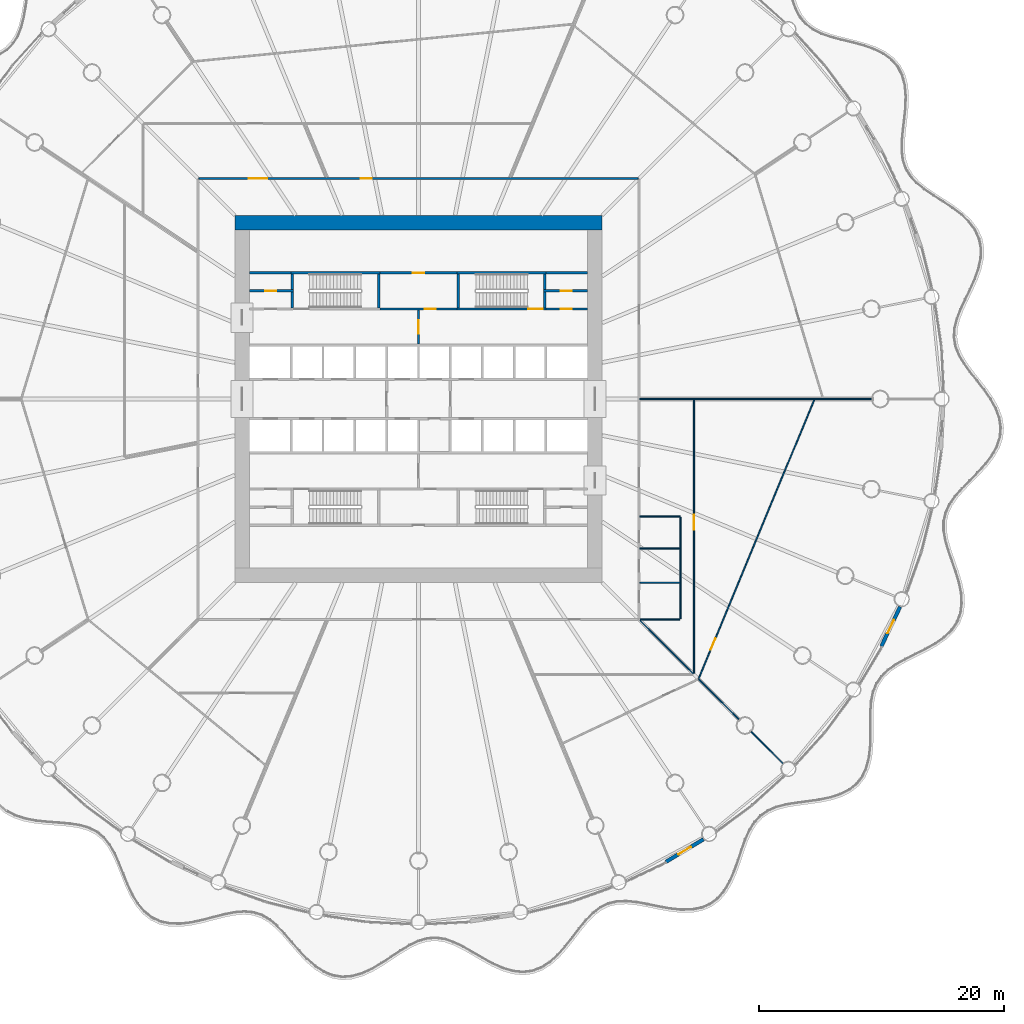
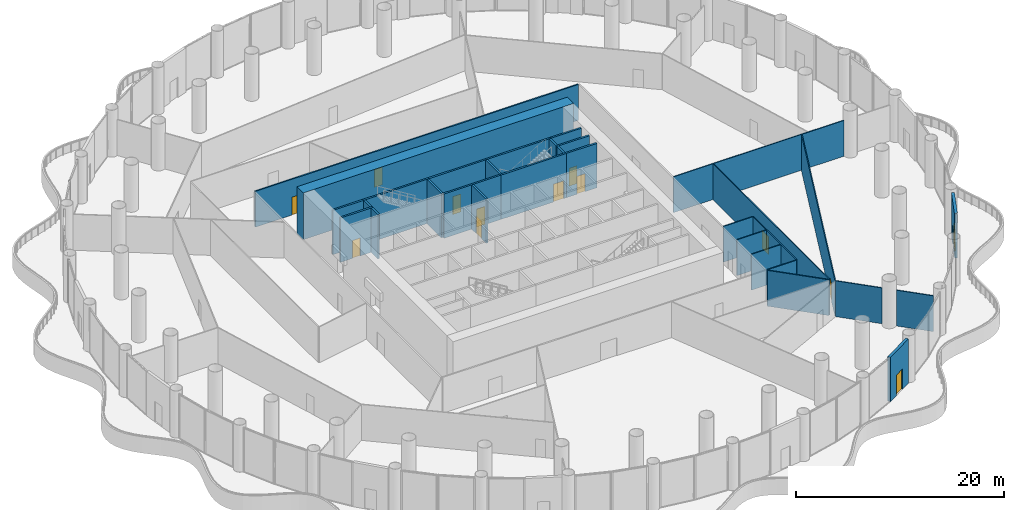
# One storey, part 26 of 37: 32 walls, 13 doors, 13 openings.
"""IFC4 building model written with IfcOpenShell, lengths in metres."""

from ifc_helpers import new_model, si_unit, direction, frame, frame_2d, origin, place, context, subcontext, project, spatial, polyline, rectangle, outline, extrude, material, layer, layer_set, type_object, element, fill, save


model = new_model("IFC4")

# Units and contexts
model_context = context("Model", 3, precision=1e-05, world=origin(), true_north=direction((0.0, 1.0)))
body_context = subcontext(model_context, "Body", "Model", "MODEL_VIEW")
ifc_project = project(units=[si_unit("LENGTHUNIT", "METRE"), si_unit("AREAUNIT", "SQUARE_METRE"), si_unit("VOLUMEUNIT", "CUBIC_METRE"), si_unit("PLANEANGLEUNIT", "RADIAN"), si_unit("MASSUNIT", "GRAM", prefix="KILO")], contexts=[model_context])

# Site, building, storey
site_placement = place(None, origin())
site = spatial("IfcSite", under=ifc_project, at=site_placement, CompositionType="ELEMENT")
building_placement = place(site_placement, origin())
building = spatial("IfcBuilding", under=site, at=building_placement, Name="Corvane Civic Tower", CompositionType="ELEMENT")
storey_placement = place(building_placement, frame((0.0, 0.0, 11.5)))
storey = spatial("IfcBuildingStorey", under=building, at=storey_placement, Name="L02", CompositionType="ELEMENT", Elevation=11.5)

# Wall
ifc_material_1 = material(Name="Concrete C80/95", Category="concrete")
ifc_layer_1 = layer(ifc_material_1, 1.199951171875)
ifc_layer_set_1 = layer_set([ifc_layer_1], Name="Concrete C80/95")
wall_type_1 = type_object("IfcWallType", Name="CORE WALL 1200 C80/95", PredefinedType="SHEAR", material=ifc_layer_set_1)
wall_1_placement = place(storey_placement, frame((-15.0, 14.39990234375, 0.0), z_axis=(0.0, 0.0, 1.0), x_axis=(1.0, 0.0, 0.0)))
element("IfcWall", 1, at=wall_1_placement, inside=storey, type_object=wall_type_1, Name="W-L02-core-N", PredefinedType="SHEAR", context=body_context, shape_type="SweptSolid", body=[
    extrude(rectangle(XDim=30.0, YDim=1.199951171875, at=frame_2d((15.0, 0.0))), origin(), (0.0, 0.0, 1.0), 5.5),
])

# Wall, opening, door
ifc_material_2 = material(Name="Concrete C30/37", Category="concrete")
ifc_layer_2 = layer(ifc_material_2, 0.199951171875)
ifc_layer_set_2 = layer_set([ifc_layer_2], Name="Concrete C30/37")
wall_type_2 = type_object("IfcWallType", Name="CR-WALL-200", PredefinedType="PARTITIONING", material=ifc_layer_set_2)
wall_2_placement = place(storey_placement, frame((-3.14990234375, 7.35009765625, 0.0), z_axis=(0.0, 0.0, 1.0), x_axis=(1.0, 0.0, 0.0)))
wall_2 = element("IfcWall", 2, at=wall_2_placement, inside=storey, type_object=wall_type_2, Name="L02 partition wall", PredefinedType="PARTITIONING", context=body_context, shape_type="SweptSolid", body=[
    extrude(rectangle(XDim=6.2998046875, YDim=0.199951171875, at=frame_2d((3.14990234375, 0.0))), origin(), (0.0, 0.0, 1.0), 5.199951171875),
])
opening_1_placement = place(wall_2_placement, frame((3.64990234375, 0.0, 0.0)))
opening_1 = element("IfcOpeningElement", 3, at=opening_1_placement, cuts=wall_2, Name="Opening L02.C02", PredefinedType="OPENING", context=body_context, shape_type="SweptSolid", body=[
    extrude(rectangle(XDim=0.89990234375, YDim=2.10009765625, at=frame_2d((0.449951171875, 1.050048828125))), frame((0.0, 0.10986328125, 0.0), z_axis=(0.0, -1.0, 0.0), x_axis=(1.0, 0.0, 0.0)), (0.0, 0.0, 1.0), 0.219970703125),
])
ifc_material_3 = material(Name="Steel fire door leaf", Category="steel")
door_type_1 = type_object("IfcDoorType", Name="CR-DOOR-900", OperationType="SINGLE_SWING_LEFT", PredefinedType="DOOR", material=ifc_material_3)
door_1_placement = place(opening_1_placement, origin())
door_1 = element("IfcDoor", 4, at=door_1_placement, inside=storey, type_object=door_type_1, Name="L02 door", OperationType="SINGLE_SWING_LEFT", OverallHeight=2.10009765625, OverallWidth=0.89990234375, PredefinedType="DOOR", context=body_context, shape_type="SweptSolid", body=[
    extrude(rectangle(XDim=0.89990234375, YDim=2.10009765625, at=frame_2d((0.449951171875, 1.050048828125))), frame((0.0, 0.02490234375, 0.0), z_axis=(0.0, -1.0, 0.0), x_axis=(1.0, 0.0, 0.0)), (0.0, 0.0, 1.0), 0.050048828125),
])
fill(opening_1, door_1)

wall_3_placement = place(storey_placement, frame((10.39990234375, 7.35009765625, 0.0), z_axis=(0.0, 0.0, 1.0), x_axis=(1.0, 0.0, 0.0)))
wall_3 = element("IfcWall", 5, at=wall_3_placement, inside=storey, type_object=wall_type_2, Name="L02 core partition wall", PredefinedType="PARTITIONING", context=body_context, shape_type="SweptSolid", body=[
    extrude(rectangle(XDim=3.400146484375, YDim=0.199951171875, at=frame_2d((1.7001953125, 0.0))), origin(), (0.0, 0.0, 1.0), 5.199951171875),
])
opening_2_placement = place(wall_3_placement, frame((1.199951171875, 0.0, 0.0)))
opening_2 = element("IfcOpeningElement", 6, at=opening_2_placement, cuts=wall_3, Name="Opening L02.C10", PredefinedType="OPENING", context=body_context, shape_type="SweptSolid", body=[
    extrude(rectangle(XDim=0.89990234375, YDim=2.10009765625, at=frame_2d((0.449951171875, 1.050048828125))), frame((0.0, 0.10986328125, 0.0), z_axis=(0.0, -1.0, 0.0), x_axis=(1.0, 0.0, 0.0)), (0.0, 0.0, 1.0), 0.219970703125),
])
door_2_placement = place(opening_2_placement, origin())
door_2 = element("IfcDoor", 7, at=door_2_placement, inside=storey, type_object=door_type_1, Name="L02 door", OperationType="SINGLE_SWING_LEFT", OverallHeight=2.10009765625, OverallWidth=0.89990234375, PredefinedType="DOOR", context=body_context, shape_type="SweptSolid", body=[
    extrude(rectangle(XDim=0.89990234375, YDim=2.10009765625, at=frame_2d((0.449951171875, 1.050048828125))), frame((0.0, 0.02490234375, 0.0), z_axis=(0.0, -1.0, 0.0), x_axis=(1.0, 0.0, 0.0)), (0.0, 0.0, 1.0), 0.050048828125),
])
fill(opening_2, door_2)

wall_4_placement = place(storey_placement, frame((-13.800048828125, 8.824951171875, 0.0), z_axis=(0.0, 0.0, 1.0), x_axis=(1.0, 0.0, 0.0)))
wall_4 = element("IfcWall", 8, at=wall_4_placement, inside=storey, type_object=wall_type_2, Name="L02 partition wall", PredefinedType="PARTITIONING", context=body_context, shape_type="SweptSolid", body=[
    extrude(rectangle(XDim=3.60009765625, YDim=0.199951171875, at=frame_2d((1.800048828125, 0.0))), origin(), (0.0, 0.0, 1.0), 5.199951171875),
])
opening_3_placement = place(wall_4_placement, frame((1.300048828125, 0.0, 0.0)))
opening_3 = element("IfcOpeningElement", 9, at=opening_3_placement, cuts=wall_4, Name="Opening L02.C07", PredefinedType="OPENING", context=body_context, shape_type="SweptSolid", body=[
    extrude(rectangle(XDim=0.89990234375, YDim=2.10009765625, at=frame_2d((0.449951171875, 1.050048828125))), frame((0.0, 0.10986328125, 0.0), z_axis=(0.0, -1.0, 0.0), x_axis=(1.0, 0.0, 0.0)), (0.0, 0.0, 1.0), 0.219970703125),
])
door_3_placement = place(opening_3_placement, origin())
door_3 = element("IfcDoor", 10, at=door_3_placement, inside=storey, type_object=door_type_1, Name="L02 door", OperationType="SINGLE_SWING_LEFT", OverallHeight=2.10009765625, OverallWidth=0.89990234375, PredefinedType="DOOR", context=body_context, shape_type="SweptSolid", body=[
    extrude(rectangle(XDim=0.89990234375, YDim=2.10009765625, at=frame_2d((0.449951171875, 1.050048828125))), frame((0.0, 0.02490234375, 0.0), z_axis=(0.0, -1.0, 0.0), x_axis=(1.0, 0.0, 0.0)), (0.0, 0.0, 1.0), 0.050048828125),
])
fill(opening_3, door_3)

wall_5_placement = place(storey_placement, frame((10.199951171875, 8.824951171875, 0.0), z_axis=(0.0, 0.0, 1.0), x_axis=(1.0, 0.0, 0.0)))
wall_5 = element("IfcWall", 11, at=wall_5_placement, inside=storey, type_object=wall_type_2, Name="L02 partition wall", PredefinedType="PARTITIONING", context=body_context, shape_type="SweptSolid", body=[
    extrude(rectangle(XDim=3.60009765625, YDim=0.199951171875, at=frame_2d((1.800048828125, 0.0))), origin(), (0.0, 0.0, 1.0), 5.199951171875),
])
opening_4_placement = place(wall_5_placement, frame((1.39990234375, 0.0, 0.0)))
opening_4 = element("IfcOpeningElement", 12, at=opening_4_placement, cuts=wall_5, Name="Opening L02.C11", PredefinedType="OPENING", context=body_context, shape_type="SweptSolid", body=[
    extrude(rectangle(XDim=0.89990234375, YDim=2.10009765625, at=frame_2d((0.449951171875, 1.050048828125))), frame((0.0, 0.10986328125, 0.0), z_axis=(0.0, -1.0, 0.0), x_axis=(1.0, 0.0, 0.0)), (0.0, 0.0, 1.0), 0.219970703125),
])
door_4_placement = place(opening_4_placement, origin())
door_4 = element("IfcDoor", 13, at=door_4_placement, inside=storey, type_object=door_type_1, Name="L02 door", OperationType="SINGLE_SWING_LEFT", OverallHeight=2.10009765625, OverallWidth=0.89990234375, PredefinedType="DOOR", context=body_context, shape_type="SweptSolid", body=[
    extrude(rectangle(XDim=0.89990234375, YDim=2.10009765625, at=frame_2d((0.449951171875, 1.050048828125))), frame((0.0, 0.02490234375, 0.0), z_axis=(0.0, -1.0, 0.0), x_axis=(1.0, 0.0, 0.0)), (0.0, 0.0, 1.0), 0.050048828125),
])
fill(opening_4, door_4)

wall_6_placement = place(storey_placement, frame((-3.14990234375, 10.300048828125, 0.0), z_axis=(0.0, 0.0, 1.0), x_axis=(1.0, 0.0, 0.0)))
wall_6 = element("IfcWall", 14, at=wall_6_placement, inside=storey, type_object=wall_type_2, Name="L02 partition wall", PredefinedType="PARTITIONING", context=body_context, shape_type="SweptSolid", body=[
    extrude(rectangle(XDim=6.2998046875, YDim=0.199951171875, at=frame_2d((3.14990234375, 0.0))), origin(), (0.0, 0.0, 1.0), 5.199951171875),
])
opening_5_placement = place(wall_6_placement, frame((2.699951171875, 0.0, 0.0)))
opening_5 = element("IfcOpeningElement", 15, at=opening_5_placement, cuts=wall_6, Name="Opening L02.C04", PredefinedType="OPENING", context=body_context, shape_type="SweptSolid", body=[
    extrude(rectangle(XDim=0.89990234375, YDim=2.10009765625, at=frame_2d((0.449951171875, 1.050048828125))), frame((0.0, 0.10986328125, 0.0), z_axis=(0.0, -1.0, 0.0), x_axis=(1.0, 0.0, 0.0)), (0.0, 0.0, 1.0), 0.219970703125),
])
door_5_placement = place(opening_5_placement, origin())
door_5 = element("IfcDoor", 16, at=door_5_placement, inside=storey, type_object=door_type_1, Name="L02 door", OperationType="SINGLE_SWING_LEFT", OverallHeight=2.10009765625, OverallWidth=0.89990234375, PredefinedType="DOOR", context=body_context, shape_type="SweptSolid", body=[
    extrude(rectangle(XDim=0.89990234375, YDim=2.10009765625, at=frame_2d((0.449951171875, 1.050048828125))), frame((0.0, 0.02490234375, 0.0), z_axis=(0.0, -1.0, 0.0), x_axis=(1.0, 0.0, 0.0)), (0.0, 0.0, 1.0), 0.050048828125),
])
fill(opening_5, door_5)

wall_7_placement = place(storey_placement, frame((0.0, 4.5, 0.0), z_axis=(0.0, 0.0, 1.0), x_axis=(0.0, 1.0, 0.0)))
wall_7 = element("IfcWall", 17, at=wall_7_placement, inside=storey, type_object=wall_type_2, Name="L02 core partition wall", PredefinedType="PARTITIONING", context=body_context, shape_type="SweptSolid", body=[
    extrude(rectangle(XDim=2.75, YDim=0.199951171875, at=frame_2d((1.375, 0.0))), origin(), (0.0, 0.0, 1.0), 5.199951171875),
])
opening_6_placement = place(wall_7_placement, frame((0.824951171875, 0.0, 0.0)))
opening_6 = element("IfcOpeningElement", 18, at=opening_6_placement, cuts=wall_7, Name="Opening L02.C20", PredefinedType="OPENING", context=body_context, shape_type="SweptSolid", body=[
    extrude(rectangle(XDim=1.10009765625, YDim=2.10009765625, at=frame_2d((0.550048828125, 1.050048828125))), frame((0.0, 0.10986328125, 0.0), z_axis=(0.0, -1.0, 0.0), x_axis=(1.0, 0.0, 0.0)), (0.0, 0.0, 1.0), 0.219970703125),
])
ifc_material_4 = material(Name="Steel fire door leaf", Category="steel")
door_type_2 = type_object("IfcDoorType", Name="CR-DOOR-FFL-1100", OperationType="SINGLE_SWING_LEFT", PredefinedType="DOOR", material=ifc_material_4)
door_6_placement = place(opening_6_placement, origin())
door_6 = element("IfcDoor", 19, at=door_6_placement, inside=storey, type_object=door_type_2, Name="L02 lobby door", OperationType="SINGLE_SWING_LEFT", OverallHeight=2.10009765625, OverallWidth=1.10009765625, PredefinedType="DOOR", context=body_context, shape_type="SweptSolid", body=[
    extrude(rectangle(XDim=1.10009765625, YDim=2.10009765625, at=frame_2d((0.550048828125, 1.050048828125))), frame((0.0, 0.02490234375, 0.0), z_axis=(0.0, -1.0, 0.0), x_axis=(1.0, 0.0, 0.0)), (0.0, 0.0, 1.0), 0.050048828125),
])
fill(opening_6, door_6)

# Walls
wall_8_placement = place(storey_placement, origin())
element("IfcWall", 20, at=wall_8_placement, inside=storey, type_object=wall_type_2, Name="L02 core partition wall", PredefinedType="PARTITIONING", context=body_context, shape_type="SweptSolid", body=[
    extrude(outline(polyline([(-13.800048828125, 10.199951171875), (-13.800048828125, 10.39990234375), (-10.39990234375, 10.39990234375), (-10.39990234375, 10.199951171875), (-13.800048828125, 10.199951171875)])), origin(), (0.0, 0.0, 1.0), 5.199951171875),
])
wall_9_placement = place(storey_placement, origin())
element("IfcWall", 21, at=wall_9_placement, inside=storey, type_object=wall_type_2, Name="L02 core partition wall", PredefinedType="PARTITIONING", context=body_context, shape_type="SweptSolid", body=[
    extrude(outline(polyline([(10.39990234375, 10.199951171875), (10.39990234375, 10.39990234375), (13.800048828125, 10.39990234375), (13.800048828125, 10.199951171875), (10.39990234375, 10.199951171875)])), origin(), (0.0, 0.0, 1.0), 5.199951171875),
])

# Wall, opening, door
ifc_material_5 = material(Name="Terracotta cladding", Category="masonry")
ifc_layer_3 = layer(ifc_material_5, 0.300048828125)
ifc_layer_set_3 = layer_set([ifc_layer_3], Name="Terracotta cladding")
wall_type_3 = type_object("IfcWallType", Name="PODIUM-W-DRUMDOOR-300", PredefinedType="SOLIDWALL", material=ifc_layer_set_3)
wall_10_placement = place(storey_placement, frame((39.317626953125, -16.9697265625, 0.0), z_axis=(0.0, 0.0, 1.0), x_axis=(-0.427546758778, -0.903993235074, 0.0)))
wall_10 = element("IfcWall", 22, at=wall_10_placement, inside=storey, type_object=wall_type_3, Name="L02 drum door bay wall 11", PredefinedType="SOLIDWALL", context=body_context, shape_type="SweptSolid", body=[
    extrude(rectangle(XDim=3.559814453125, YDim=0.300048828125, at=frame_2d((1.77978515625, 0.0))), origin(), (0.0, 0.0, 1.0), 5.199951171875),
])
opening_7_placement = place(wall_10_placement, frame((1.179931640625, 0.0, 0.0)))
opening_7 = element("IfcOpeningElement", 23, at=opening_7_placement, cuts=wall_10, Name="Opening ED-L02-11", PredefinedType="OPENING", context=body_context, shape_type="SweptSolid", body=[
    extrude(rectangle(XDim=1.199951171875, YDim=2.39990234375, at=frame_2d((0.60009765625, 1.199951171875))), frame((0.0, 0.159912109375, 0.0), z_axis=(0.0, -1.0, 0.0), x_axis=(1.0, 0.0, 0.0)), (0.0, 0.0, 1.0), 0.320068359375),
])
ifc_material_6 = material(Name="Anodised aluminium and glass", Category="aluminium")
door_type_3 = type_object("IfcDoorType", Name="PODIUM-D-BALCONY-1200", OperationType="SINGLE_SWING_LEFT", PredefinedType="DOOR", material=ifc_material_6)
door_7_placement = place(opening_7_placement, origin())
door_7 = element("IfcDoor", 24, at=door_7_placement, inside=storey, type_object=door_type_3, Name="L02 balcony door 11", OperationType="SINGLE_SWING_LEFT", OverallHeight=2.39990234375, OverallWidth=1.199951171875, PredefinedType="DOOR", context=body_context, shape_type="SweptSolid", body=[
    extrude(rectangle(XDim=1.199951171875, YDim=2.39990234375, at=frame_2d((0.60009765625, 1.199951171875))), frame((0.0, 0.02490234375, 0.0), z_axis=(0.0, -1.0, 0.0), x_axis=(1.0, 0.0, 0.0)), (0.0, 0.0, 1.0), 0.050048828125),
])
fill(opening_7, door_7)

wall_11_placement = place(storey_placement, frame((23.26318359375, -35.95361328125, 0.0), z_axis=(0.0, 0.0, 1.0), x_axis=(-0.85770467182, -0.514142680525, 0.0)))
wall_11 = element("IfcWall", 25, at=wall_11_placement, inside=storey, type_object=wall_type_3, Name="L02 drum door bay wall 14", PredefinedType="SOLIDWALL", context=body_context, shape_type="SweptSolid", body=[
    extrude(rectangle(XDim=3.5595703125, YDim=0.300048828125, at=frame_2d((1.77978515625, 0.0))), origin(), (0.0, 0.0, 1.0), 5.199951171875),
])
opening_8_placement = place(wall_11_placement, frame((1.179931640625, 0.0, 0.0)))
opening_8 = element("IfcOpeningElement", 26, at=opening_8_placement, cuts=wall_11, Name="Opening ED-L02-14", PredefinedType="OPENING", context=body_context, shape_type="SweptSolid", body=[
    extrude(rectangle(XDim=1.199951171875, YDim=2.39990234375, at=frame_2d((0.60009765625, 1.199951171875))), frame((0.0, 0.159912109375, 0.0), z_axis=(0.0, -1.0, 0.0), x_axis=(1.0, 0.0, 0.0)), (0.0, 0.0, 1.0), 0.320068359375),
])
door_8_placement = place(opening_8_placement, origin())
door_8 = element("IfcDoor", 27, at=door_8_placement, inside=storey, type_object=door_type_3, Name="L02 balcony door 14", OperationType="SINGLE_SWING_RIGHT", OverallHeight=2.39990234375, OverallWidth=1.199951171875, PredefinedType="DOOR", context=body_context, shape_type="SweptSolid", body=[
    extrude(rectangle(XDim=1.199951171875, YDim=2.39990234375, at=frame_2d((0.60009765625, 1.199951171875))), frame((0.0, 0.02490234375, 0.0), z_axis=(0.0, -1.0, 0.0), x_axis=(1.0, 0.0, 0.0)), (0.0, 0.0, 1.0), 0.050048828125),
])
fill(opening_8, door_8)

# Walls
ifc_material_7 = material(Name="Plasterboard")
ifc_layer_4 = layer(ifc_material_7, 0.10009765625)
ifc_layer_set_4 = layer_set([ifc_layer_4], Name="Plasterboard")
wall_type_4 = type_object("IfcWallType", Name="Partition 100 plasterboard on studs", PredefinedType="PARTITIONING", material=ifc_layer_set_4)
wall_12_placement = place(storey_placement, frame((27.159912109375, -27.159912109375, 0.0), z_axis=(0.0, 0.0, 1.0), x_axis=(0.707106781187, -0.707106781187, 0.0)))
element("IfcWall", 28, at=wall_12_placement, inside=storey, type_object=wall_type_4, Name="Partition L02.006", PredefinedType="PARTITIONING", context=body_context, shape_type="SweptSolid", body=[
    extrude(rectangle(XDim=3.679931640625, YDim=0.10009765625, at=frame_2d((1.83984375, 0.0))), origin(), (0.0, 0.0, 1.0), 4.199951171875),
])
wall_13_placement = place(storey_placement, frame((22.890869140625, -22.890869140625, 0.0), z_axis=(0.0, 0.0, 1.0), x_axis=(0.707106781187, -0.707106781187, 0.0)))
element("IfcWall", 29, at=wall_13_placement, inside=storey, type_object=wall_type_4, Name="Partition L02.008", PredefinedType="PARTITIONING", context=body_context, shape_type="SweptSolid", body=[
    extrude(rectangle(XDim=4.61767578125, YDim=0.10009765625, at=frame_2d((2.308837890625, 0.0))), origin(), (0.0, 0.0, 1.0), 4.199951171875),
])

# Wall, opening, door
wall_14_placement = place(storey_placement, frame((22.87890625, -22.835205078125, 0.0), z_axis=(0.0, 0.0, 1.0), x_axis=(0.382679925467, 0.923880985108, 0.0)))
wall_14 = element("IfcWall", 30, at=wall_14_placement, inside=storey, type_object=wall_type_4, Name="Partition L02.011", PredefinedType="PARTITIONING", context=body_context, shape_type="SweptSolid", body=[
    extrude(rectangle(XDim=24.641845703125, YDim=0.10009765625, at=frame_2d((12.32080078125, 0.0))), origin(), (0.0, 0.0, 1.0), 4.199951171875),
])
opening_9_placement = place(wall_14_placement, frame((2.558349609375, 0.0, 0.0)))
opening_9 = element("IfcOpeningElement", 31, at=opening_9_placement, cuts=wall_14, Name="Opening L02.010", PredefinedType="OPENING", context=body_context, shape_type="SweptSolid", body=[
    extrude(rectangle(XDim=1.0, YDim=2.10009765625, at=frame_2d((0.5, 1.050048828125))), frame((0.0, 0.06005859375, 0.0), z_axis=(0.0, -1.0, 0.0), x_axis=(1.0, 0.0, 0.0)), (0.0, 0.0, 1.0), 0.1201171875),
])
ifc_material_8 = material(Name="Timber", Category="wood")
door_type_4 = type_object("IfcDoorType", Name="Single door 1000", OperationType="NOTDEFINED", PredefinedType="DOOR", material=ifc_material_8)
door_9_placement = place(opening_9_placement, frame((1.0, 0.0, 0.0), z_axis=(0.0, 0.0, 1.0), x_axis=(-1.0, 0.0, 0.0)))
door_9 = element("IfcDoor", 32, at=door_9_placement, inside=storey, type_object=door_type_4, Name="Door L02.010", OperationType="SINGLE_SWING_LEFT", OverallHeight=2.10009765625, OverallWidth=1.0, PredefinedType="DOOR", context=body_context, shape_type="SweptSolid", body=[
    extrude(rectangle(XDim=1.0, YDim=2.10009765625, at=frame_2d((0.5, 1.050048828125))), frame((0.0, 0.02490234375, 0.0), z_axis=(0.0, -1.0, 0.0), x_axis=(1.0, 0.0, 0.0)), (0.0, 0.0, 1.0), 0.050048828125),
])
fill(opening_9, door_9)

# Wall
wall_15_placement = place(storey_placement, frame((18.08544921875, -18.08544921875, 0.0), z_axis=(0.0, 0.0, 1.0), x_axis=(0.707106781187, -0.707106781187, 0.0)))
element("IfcWall", 33, at=wall_15_placement, inside=storey, type_object=wall_type_4, Name="Partition L02.013", PredefinedType="PARTITIONING", context=body_context, shape_type="SweptSolid", body=[
    extrude(rectangle(XDim=6.122314453125, YDim=0.10009765625, at=frame_2d((3.06103515625, 0.0))), origin(), (0.0, 0.0, 1.0), 4.199951171875),
])

# Wall, opening, door
wall_16_placement = place(storey_placement, frame((22.5, -22.37939453125, 0.0), z_axis=(0.0, 0.0, 1.0), x_axis=(0.0, 1.0, 0.0)))
wall_16 = element("IfcWall", 34, at=wall_16_placement, inside=storey, type_object=wall_type_4, Name="Partition L02.014", PredefinedType="PARTITIONING", context=body_context, shape_type="SweptSolid", body=[
    extrude(rectangle(XDim=22.329345703125, YDim=0.10009765625, at=frame_2d((11.16455078125, 0.0))), origin(), (0.0, 0.0, 1.0), 4.199951171875),
])
opening_10_placement = place(wall_16_placement, frame((11.709228515625, 0.0, 0.0)))
opening_10 = element("IfcOpeningElement", 35, at=opening_10_placement, cuts=wall_16, Name="Opening L02.012", PredefinedType="OPENING", context=body_context, shape_type="SweptSolid", body=[
    extrude(rectangle(XDim=1.199951171875, YDim=2.10009765625, at=frame_2d((0.60009765625, 1.050048828125))), frame((0.0, 0.06005859375, 0.0), z_axis=(0.0, -1.0, 0.0), x_axis=(1.0, 0.0, 0.0)), (0.0, 0.0, 1.0), 0.1201171875),
])
ifc_material_9 = material(Name="Timber", Category="wood")
door_type_5 = type_object("IfcDoorType", Name="Double door 1200", OperationType="NOTDEFINED", PredefinedType="DOOR", material=ifc_material_9)
door_10_placement = place(opening_10_placement, frame((1.199951171875, 0.0, 0.0), z_axis=(0.0, 0.0, 1.0), x_axis=(-1.0, 0.0, 0.0)))
door_10 = element("IfcDoor", 36, at=door_10_placement, inside=storey, type_object=door_type_5, Name="Door L02.012", OperationType="DOUBLE_DOOR_SINGLE_SWING", OverallHeight=2.10009765625, OverallWidth=1.199951171875, PredefinedType="DOOR", context=body_context, shape_type="SweptSolid", body=[
    extrude(rectangle(XDim=1.199951171875, YDim=2.10009765625, at=frame_2d((0.60009765625, 1.050048828125))), frame((0.0, 0.02490234375, 0.0), z_axis=(0.0, -1.0, 0.0), x_axis=(1.0, 0.0, 0.0)), (0.0, 0.0, 1.0), 0.050048828125),
])
fill(opening_10, door_10)

# Walls
wall_17_placement = place(storey_placement, frame((18.12060546875, -18.0, 0.0), z_axis=(0.0, 0.0, 1.0), x_axis=(1.0, 0.0, 0.0)))
element("IfcWall", 37, at=wall_17_placement, inside=storey, type_object=wall_type_4, Name="Partition L02.018", PredefinedType="PARTITIONING", context=body_context, shape_type="SweptSolid", body=[
    extrude(rectangle(XDim=3.2294921875, YDim=0.10009765625, at=frame_2d((1.61474609375, 0.0))), origin(), (0.0, 0.0, 1.0), 4.199951171875),
])
wall_18_placement = place(storey_placement, frame((21.39990234375, -17.949951171875, 0.0), z_axis=(0.0, 0.0, 1.0), x_axis=(0.0, 1.0, 0.0)))
element("IfcWall", 38, at=wall_18_placement, inside=storey, type_object=wall_type_4, Name="Partition L02.020", PredefinedType="PARTITIONING", context=body_context, shape_type="SweptSolid", body=[
    extrude(rectangle(XDim=8.300048828125, YDim=0.10009765625, at=frame_2d((4.14990234375, 0.0))), origin(), (0.0, 0.0, 1.0), 4.199951171875),
])
for number, where, z_axis, x_axis, name in (
    (39, (18.074951171875, -15.0, 0.0), (0.0, 0.0, 1.0), (1.0, 0.0, 0.0), "Partition L02.023"),
    (40, (18.074951171875, -12.199951171875, 0.0), (0.0, 0.0, 1.0), (1.0, 0.0, 0.0), "Partition L02.024"),
    (41, (18.074951171875, -9.60009765625, 0.0), (0.0, 0.0, 1.0), (1.0, 0.0, 0.0), "Partition L02.025"),
):
    element("IfcWall", number, at=place(storey_placement, frame(where, z_axis=z_axis, x_axis=x_axis)), inside=storey, type_object=wall_type_4, Name=name, PredefinedType="PARTITIONING", context=body_context, shape_type="SweptSolid", body=[
        extrude(rectangle(XDim=3.275146484375, YDim=0.10009765625, at=frame_2d((1.6376953125, 0.0))), origin(), (0.0, 0.0, 1.0), 4.199951171875),
    ])
wall_19_placement = place(storey_placement, frame((18.074951171875, 0.0, 0.0), z_axis=(0.0, 0.0, 1.0), x_axis=(1.0, 0.0, 0.0)))
element("IfcWall", 42, at=wall_19_placement, inside=storey, type_object=wall_type_4, Name="Partition L02.030", PredefinedType="PARTITIONING", context=body_context, shape_type="SweptSolid", body=[
    extrude(rectangle(XDim=18.9150390625, YDim=0.10009765625, at=frame_2d((9.45751953125, 0.0))), origin(), (0.0, 0.0, 1.0), 4.199951171875),
])

# Wall, opening, door
ifc_material_10 = material(Name="Concrete C50/60", Category="concrete")
ifc_layer_5 = layer(ifc_material_10, 0.199951171875)
ifc_layer_set_5 = layer_set([ifc_layer_5], Name="Concrete C50/60")
wall_type_5 = type_object("IfcWallType", Name="ST-WALL-200", PredefinedType="SHEAR", material=ifc_layer_set_5)
wall_20_placement = place(storey_placement, frame((3.14990234375, 7.35009765625, 0.0), z_axis=(0.0, 0.0, 1.0), x_axis=(1.0, 0.0, 0.0)))
wall_20 = element("IfcWall", 43, at=wall_20_placement, inside=storey, type_object=wall_type_5, Name="L02 stair enclosure wall", PredefinedType="SHEAR", context=body_context, shape_type="SweptSolid", body=[
    extrude(rectangle(XDim=7.25, YDim=0.199951171875, at=frame_2d((3.625, 0.0))), origin(), (0.0, 0.0, 1.0), 5.199951171875),
])
opening_11_placement = place(wall_20_placement, frame((5.800048828125, 0.0, 0.0)))
opening_11 = element("IfcOpeningElement", 44, at=opening_11_placement, cuts=wall_20, Name="Opening L02.C14", PredefinedType="OPENING", context=body_context, shape_type="SweptSolid", body=[
    extrude(rectangle(XDim=1.199951171875, YDim=2.10009765625, at=frame_2d((0.60009765625, 1.050048828125))), frame((0.0, 0.10986328125, 0.0), z_axis=(0.0, -1.0, 0.0), x_axis=(1.0, 0.0, 0.0)), (0.0, 0.0, 1.0), 0.219970703125),
])
ifc_material_11 = material(Name="Steel fire door leaf", Category="steel")
door_type_6 = type_object("IfcDoorType", Name="ST-DOOR-1200", OperationType="SINGLE_SWING_RIGHT", PredefinedType="DOOR", material=ifc_material_11)
door_11_placement = place(opening_11_placement, origin())
door_11 = element("IfcDoor", 45, at=door_11_placement, inside=storey, type_object=door_type_6, Name="L02 stair door", OperationType="SINGLE_SWING_RIGHT", OverallHeight=2.10009765625, OverallWidth=1.199951171875, PredefinedType="DOOR", context=body_context, shape_type="SweptSolid", body=[
    extrude(rectangle(XDim=1.199951171875, YDim=2.10009765625, at=frame_2d((0.60009765625, 1.050048828125))), frame((0.0, 0.02490234375, 0.0), z_axis=(0.0, -1.0, 0.0), x_axis=(1.0, 0.0, 0.0)), (0.0, 0.0, 1.0), 0.050048828125),
])
fill(opening_11, door_11)

# Walls
wall_21_placement = place(storey_placement, origin())
element("IfcWall", 46, at=wall_21_placement, inside=storey, type_object=wall_type_5, Name="L02 stair enclosure wall", PredefinedType="SHEAR", context=body_context, shape_type="SweptSolid", body=[
    extrude(outline(polyline([(-3.14990234375, 10.199951171875), (-10.39990234375, 10.199951171875), (-10.39990234375, 10.39990234375), (-3.14990234375, 10.39990234375), (-3.14990234375, 10.199951171875)])), origin(), (0.0, 0.0, 1.0), 5.199951171875),
])
wall_22_placement = place(storey_placement, origin())
element("IfcWall", 47, at=wall_22_placement, inside=storey, type_object=wall_type_5, Name="L02 stair enclosure wall", PredefinedType="SHEAR", context=body_context, shape_type="SweptSolid", body=[
    extrude(outline(polyline([(10.39990234375, 10.199951171875), (3.14990234375, 10.199951171875), (3.14990234375, 10.39990234375), (10.39990234375, 10.39990234375), (10.39990234375, 10.199951171875)])), origin(), (0.0, 0.0, 1.0), 5.199951171875),
])
wall_23_placement = place(storey_placement, origin())
element("IfcWall", 48, at=wall_23_placement, inside=storey, type_object=wall_type_5, Name="L02 stair enclosure wall", PredefinedType="SHEAR", context=body_context, shape_type="SweptSolid", body=[
    extrude(outline(polyline([(-3.14990234375, 7.449951171875), (-3.35009765625, 7.449951171875), (-3.35009765625, 10.199951171875), (-3.14990234375, 10.199951171875), (-3.14990234375, 7.449951171875)])), origin(), (0.0, 0.0, 1.0), 5.199951171875),
])
wall_24_placement = place(storey_placement, origin())
element("IfcWall", 49, at=wall_24_placement, inside=storey, type_object=wall_type_5, Name="L02 stair enclosure wall", PredefinedType="SHEAR", context=body_context, shape_type="SweptSolid", body=[
    extrude(outline(polyline([(3.35009765625, 7.449951171875), (3.14990234375, 7.449951171875), (3.14990234375, 10.199951171875), (3.35009765625, 10.199951171875), (3.35009765625, 7.449951171875)])), origin(), (0.0, 0.0, 1.0), 5.199951171875),
])
wall_25_placement = place(storey_placement, origin())
element("IfcWall", 50, at=wall_25_placement, inside=storey, type_object=wall_type_5, Name="L02 stair enclosure wall", PredefinedType="SHEAR", context=body_context, shape_type="SweptSolid", body=[
    extrude(outline(polyline([(-10.199951171875, 8.72509765625), (-10.199951171875, 7.449951171875), (-10.39990234375, 7.449951171875), (-10.39990234375, 8.72509765625), (-10.199951171875, 8.72509765625)])), origin(), (0.0, 0.0, 1.0), 5.199951171875),
])
wall_26_placement = place(storey_placement, origin())
element("IfcWall", 51, at=wall_26_placement, inside=storey, type_object=wall_type_5, Name="L02 stair enclosure wall", PredefinedType="SHEAR", context=body_context, shape_type="SweptSolid", body=[
    extrude(outline(polyline([(10.39990234375, 8.72509765625), (10.39990234375, 7.449951171875), (10.199951171875, 7.449951171875), (10.199951171875, 8.72509765625), (10.39990234375, 8.72509765625)])), origin(), (0.0, 0.0, 1.0), 5.199951171875),
])
wall_27_placement = place(storey_placement, origin())
element("IfcWall", 52, at=wall_27_placement, inside=storey, type_object=wall_type_5, Name="L02 stair enclosure wall", PredefinedType="SHEAR", context=body_context, shape_type="SweptSolid", body=[
    extrude(outline(polyline([(-10.199951171875, 8.925048828125), (-10.39990234375, 8.925048828125), (-10.39990234375, 10.199951171875), (-10.199951171875, 10.199951171875), (-10.199951171875, 8.925048828125)])), origin(), (0.0, 0.0, 1.0), 5.199951171875),
])
wall_28_placement = place(storey_placement, origin())
element("IfcWall", 53, at=wall_28_placement, inside=storey, type_object=wall_type_5, Name="L02 stair enclosure wall", PredefinedType="SHEAR", context=body_context, shape_type="SweptSolid", body=[
    extrude(outline(polyline([(10.39990234375, 8.925048828125), (10.199951171875, 8.925048828125), (10.199951171875, 10.199951171875), (10.39990234375, 10.199951171875), (10.39990234375, 8.925048828125)])), origin(), (0.0, 0.0, 1.0), 5.199951171875),
])

# Wall, openings, doors
ifc_material_12 = material(Name="Plasterboard")
ifc_layer_6 = layer(ifc_material_12, 0.14990234375)
ifc_layer_set_6 = layer_set([ifc_layer_6], Name="Plasterboard")
wall_type_6 = type_object("IfcWallType", Name="Tenancy wall 150 EI 60", PredefinedType="PARTITIONING", material=ifc_layer_set_6)
wall_29_placement = place(storey_placement, frame((-17.925048828125, 18.0, 0.0), z_axis=(0.0, 0.0, 1.0), x_axis=(1.0, 0.0, 0.0)))
wall_29 = element("IfcWall", 54, at=wall_29_placement, inside=storey, type_object=wall_type_6, Name="Partition L02.036", PredefinedType="PARTITIONING", context=body_context, shape_type="SweptSolid", body=[
    extrude(rectangle(XDim=35.85009765625, YDim=0.14990234375, at=frame_2d((17.925048828125, 0.0))), origin(), (0.0, 0.0, 1.0), 4.199951171875),
])
opening_12_placement = place(wall_29_placement, frame((4.063232421875, 0.0, 0.0)))
opening_12 = element("IfcOpeningElement", 55, at=opening_12_placement, cuts=wall_29, Name="Opening L02.005", PredefinedType="OPENING", context=body_context, shape_type="SweptSolid", body=[
    extrude(rectangle(XDim=1.5, YDim=2.10009765625, at=frame_2d((0.75, 1.050048828125))), frame((0.0, 0.0849609375, 0.0), z_axis=(0.0, -1.0, 0.0), x_axis=(1.0, 0.0, 0.0)), (0.0, 0.0, 1.0), 0.169921875),
])
opening_13_placement = place(wall_29_placement, frame((13.216552734375, 0.0, 0.0)))
opening_13 = element("IfcOpeningElement", 56, at=opening_13_placement, cuts=wall_29, Name="Opening L02.006", PredefinedType="OPENING", context=body_context, shape_type="SweptSolid", body=[
    extrude(rectangle(XDim=0.89990234375, YDim=2.10009765625, at=frame_2d((0.449951171875, 1.050048828125))), frame((0.0, 0.0849609375, 0.0), z_axis=(0.0, -1.0, 0.0), x_axis=(1.0, 0.0, 0.0)), (0.0, 0.0, 1.0), 0.169921875),
])
ifc_material_13 = material(Name="Steel and timber", Category="steel")
door_type_7 = type_object("IfcDoorType", Name="Fire door FD30S 900", OperationType="NOTDEFINED", PredefinedType="DOOR", material=ifc_material_13)
door_12_placement = place(opening_13_placement, origin())
door_12 = element("IfcDoor", 57, at=door_12_placement, inside=storey, type_object=door_type_7, Name="Door L02.006", OperationType="SINGLE_SWING_LEFT", OverallHeight=2.10009765625, OverallWidth=0.89990234375, PredefinedType="DOOR", context=body_context, shape_type="SweptSolid", body=[
    extrude(rectangle(XDim=0.89990234375, YDim=2.10009765625, at=frame_2d((0.449951171875, 1.050048828125))), frame((0.0, 0.02490234375, 0.0), z_axis=(0.0, -1.0, 0.0), x_axis=(1.0, 0.0, 0.0)), (0.0, 0.0, 1.0), 0.050048828125),
])
fill(opening_13, door_12)
ifc_material_14 = material(Name="Steel and timber", Category="steel")
door_type_8 = type_object("IfcDoorType", Name="Fire door FD60 double 1500", OperationType="NOTDEFINED", PredefinedType="DOOR", material=ifc_material_14)
door_13_placement = place(opening_12_placement, origin())
door_13 = element("IfcDoor", 58, at=door_13_placement, inside=storey, type_object=door_type_8, Name="Door L02.005", OperationType="DOUBLE_DOOR_SINGLE_SWING", OverallHeight=2.10009765625, OverallWidth=1.5, PredefinedType="DOOR", context=body_context, shape_type="SweptSolid", body=[
    extrude(rectangle(XDim=1.5, YDim=2.10009765625, at=frame_2d((0.75, 1.050048828125))), frame((0.0, 0.02490234375, 0.0), z_axis=(0.0, -1.0, 0.0), x_axis=(1.0, 0.0, 0.0)), (0.0, 0.0, 1.0), 0.050048828125),
])
fill(opening_12, door_13)

save(model, "model.ifc")
